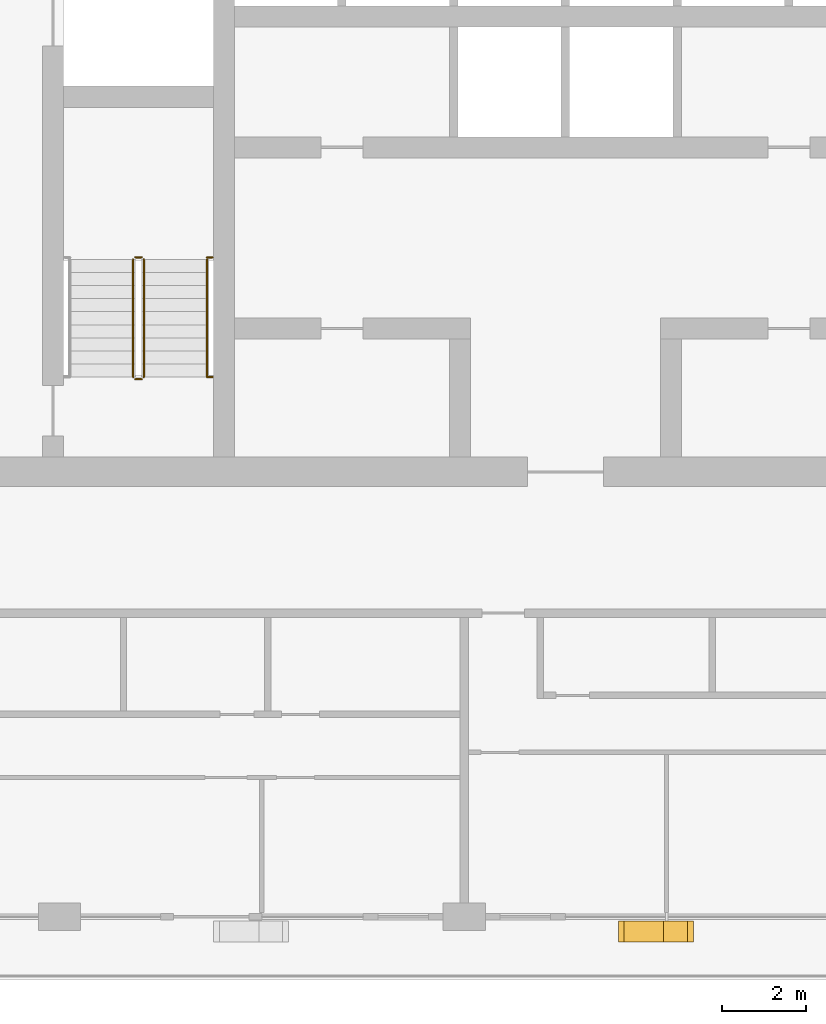
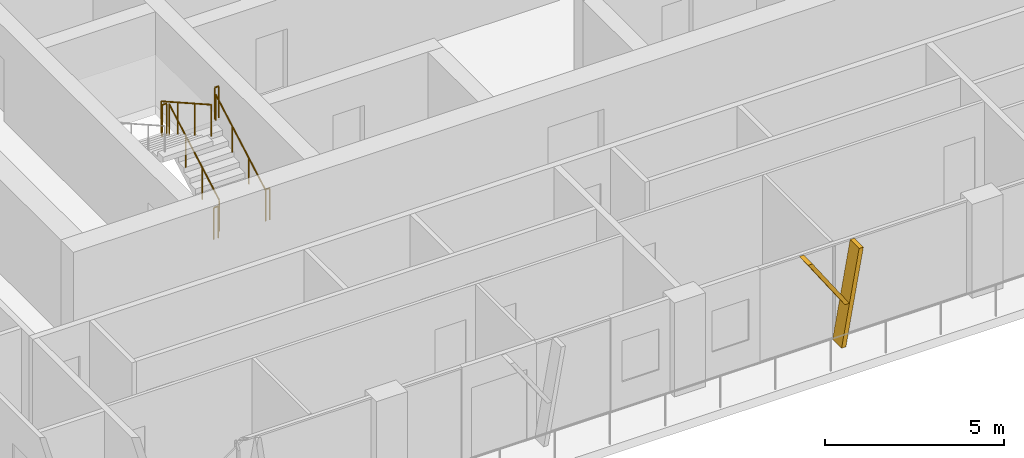
# One storey, part 17 of 22: 7 railings, 2 shading devices.
"""IFC4 building model written with IfcOpenShell, lengths in metres."""

import ifcopenshell
import ifcopenshell.guid

model = None  # the IFC model being written
_history = None  # IfcOwnerHistory: only IFC2X3 demands one
_inside = {}  # id of a spatial element -> (the spatial element, [elements in it])
_under = {}  # id of a project, library or spatial element -> (it, [spatial elements below it])
_declared = {}  # id of a project -> (the project, [libraries it declares])
_typed = {}  # id of a type object -> (the type object, [elements of that type])
_made_of = {}  # id of a material, layer set ... -> (it, [elements and type objects made of it])


def new_model(schema):
    """Start an empty IFC model of exactly this schema.

    Asked for "IFC4X3", IfcOpenShell would pick the latest addendum, in which some entities
    have other attributes; the version numbers below select the first issue.
    IFC2X3 requires an IfcOwnerHistory on every rooted entity: one is made here for all.
    """
    global model, _history
    if schema == "IFC4X3":
        model = ifcopenshell.file(schema_version=(4, 3, 0, 0))
    else:
        model = ifcopenshell.file(schema=schema)
    _inside.clear()
    _under.clear()
    _declared.clear()
    _typed.clear()
    _made_of.clear()
    _history = None
    if model.schema == "IFC2X3":
        org = make("IfcOrganization", Name="unknown")
        user = make(
            "IfcPersonAndOrganization",
            ThePerson=make("IfcPerson", FamilyName="unknown"),
            TheOrganization=org,
        )
        app = make(
            "IfcApplication",
            ApplicationDeveloper=org,
            Version="unknown",
            ApplicationFullName="unknown",
            ApplicationIdentifier="unknown",
        )
        _history = make(
            "IfcOwnerHistory",
            OwningUser=user,
            OwningApplication=app,
            ChangeAction="ADDED",
            CreationDate=0,
        )
    return model


def make(cls, **values):
    """One entity of the class cls with the attributes given. An attribute that is None is left unset."""
    return model.create_entity(
        cls, **{name: value for name, value in values.items() if value is not None}
    )


def rooted(cls, **values):
    """An entity with a GlobalId (a new one), such as an element, a storey or a relation."""
    return make(cls, GlobalId=ifcopenshell.guid.new(), OwnerHistory=_history, **values)


def si_unit(unit_type, name, prefix=None):
    """IfcSIUnit, for example si_unit("LENGTHUNIT", "METRE", prefix="MILLI")."""
    return make("IfcSIUnit", UnitType=unit_type, Prefix=prefix, Name=name)


def assignment(units):
    """IfcUnitAssignment: the units of a project."""
    return None if units is None else make("IfcUnitAssignment", Units=units)


def point(xyz):
    """IfcCartesianPoint."""
    return None if xyz is None else make("IfcCartesianPoint", Coordinates=xyz)


def direction(xyz):
    """IfcDirection."""
    return None if xyz is None else make("IfcDirection", DirectionRatios=xyz)


def frame(location, z_axis=None, x_axis=None):
    """IfcAxis2Placement3D, a coordinate frame: its origin and axes. An axis left out is left unset."""
    return make(
        "IfcAxis2Placement3D",
        Location=point(location),
        Axis=direction(z_axis),
        RefDirection=direction(x_axis),
    )


def frame_2d(location, x_axis=None):
    """IfcAxis2Placement2D, a coordinate frame in the plane: its origin and x axis."""
    return make(
        "IfcAxis2Placement2D", Location=point(location), RefDirection=direction(x_axis)
    )


def origin():
    """The frame at (0, 0, 0) with its axes left unset."""
    return frame((0.0, 0.0, 0.0))


def origin_2d():
    """The frame at (0, 0) in the plane with its x axis left unset."""
    return frame_2d((0.0, 0.0))


def place(relative_to, where):
    """IfcLocalPlacement: puts the frame where relative to a parent placement (None: the world)."""
    return make(
        "IfcLocalPlacement", PlacementRelTo=relative_to, RelativePlacement=where
    )


def context(
    kind, dimensions, precision=None, world=None, true_north=None, identifier=None
):
    """IfcGeometricRepresentationContext, for example the 3D "Model" context."""
    return make(
        "IfcGeometricRepresentationContext",
        ContextIdentifier=identifier,
        ContextType=kind,
        CoordinateSpaceDimension=dimensions,
        Precision=precision,
        WorldCoordinateSystem=world,
        TrueNorth=true_north,
    )


def subcontext(parent, identifier, kind, view, scale=None):
    """IfcGeometricRepresentationSubContext, for example "Body" below "Model"."""
    return make(
        "IfcGeometricRepresentationSubContext",
        ContextIdentifier=identifier,
        ContextType=kind,
        ParentContext=parent,
        TargetScale=scale,
        TargetView=view,
    )


def project(units=None, contexts=None):
    """IfcProject with its units and contexts."""
    return rooted(
        "IfcProject",
        Name="project",
        RepresentationContexts=contexts,
        UnitsInContext=assignment(units),
    )


def spatial(cls, under=None, at=None, **own):
    """A site, building, storey or space (cls), placed at a placement, below another one or the project."""
    s = rooted(cls, ObjectPlacement=at, **own)
    if under is not None:
        _under.setdefault(under.id(), (under, []))[1].append(s)
    return s


def polyline(points):
    """IfcPolyline through the points."""
    return make("IfcPolyline", Points=[point(p) for p in points])


def profile(cls, at=None, kind="AREA", **sizes):
    """A parametric profile (cls). Its sizes go by their IFC names, for example OverallWidth=200.0."""
    return make(cls, ProfileType=kind, Position=at, **sizes)


def circle(**sizes):
    """IfcCircleProfileDef."""
    return profile("IfcCircleProfileDef", **sizes)


def outline(outer, holes=None, kind="AREA"):
    """IfcArbitraryClosedProfileDef: a profile drawn as a closed curve; with holes, ...WithVoids."""
    if holes is None:
        return make("IfcArbitraryClosedProfileDef", ProfileType=kind, OuterCurve=outer)
    return make(
        "IfcArbitraryProfileDefWithVoids",
        ProfileType=kind,
        OuterCurve=outer,
        InnerCurves=holes,
    )


def extrude(swept, where, along, depth):
    """IfcExtrudedAreaSolid: the profile swept, set in the frame where, extruded along a direction by depth."""
    return make(
        "IfcExtrudedAreaSolid",
        SweptArea=swept,
        Position=where,
        ExtrudedDirection=direction(along),
        Depth=depth,
    )


def shape(context_of_items, identifier, shape_type, items):
    """IfcShapeRepresentation: the items that make up one representation, for example the "Body"."""
    return make(
        "IfcShapeRepresentation",
        ContextOfItems=context_of_items,
        RepresentationIdentifier=identifier,
        RepresentationType=shape_type,
        Items=items,
    )


def material(Name=None, Category=None):
    """IfcMaterial."""
    return make("IfcMaterial", Name=Name, Category=Category)


def made_of(thing, what):
    """Note that an element or type object is made of a material, layer set ...; save() writes the relation."""
    if what is not None:
        _made_of.setdefault(what.id(), (what, []))[1].append(thing)
    return thing


def type_object(cls, material=None, **own):
    """A type object (cls), such as IfcWallType, which elements share."""
    return made_of(rooted(cls, **own), material)


def element(
    cls,
    number,
    at=None,
    inside=None,
    cuts=None,
    type_object=None,
    material=None,
    context=None,
    identifier="Body",
    shape_type=None,
    held_by="IfcProductDefinitionShape",
    body=None,
    shapes=None,
    **own,
):
    """One element of the class cls, such as IfcWall. Its Tag is "e" and its number.

    at: its placement. inside: the storey or other place that contains it. cuts: it is an
    opening in that element (IfcRelVoidsElement). A single representation is given by context,
    identifier, shape_type and body (its items); several are given by shapes. held_by: the class
    of the entity that holds the representations. save() writes the other relations.
    """
    e = rooted(cls, Tag="e%d" % number, ObjectPlacement=at, **own)
    if body is not None:
        shapes = [shape(context, identifier, shape_type, body)]
    if shapes is not None:
        e.Representation = make(held_by, Representations=shapes)
    if inside is not None:
        _inside.setdefault(inside.id(), (inside, []))[1].append(e)
    if cuts is not None:
        rooted(
            "IfcRelVoidsElement", RelatingBuildingElement=cuts, RelatedOpeningElement=e
        )
    if type_object is not None:
        _typed.setdefault(type_object.id(), (type_object, []))[1].append(e)
    return made_of(e, material)


def aggregate(whole, parts):
    """IfcRelAggregates: a whole, such as a stair, and the parts it consists of."""
    return rooted("IfcRelAggregates", RelatingObject=whole, RelatedObjects=parts)


def save(model, path):
    """Write the relations noted so far, then the file.

    IfcRelAggregates (storeys below a building ...), IfcRelContainedInSpatialStructure (elements
    in a storey), IfcRelDefinesByType, IfcRelAssociatesMaterial and IfcRelDeclares: one each for
    every whole, place, type object, material and project.
    """
    for whole, parts in _under.values():
        aggregate(whole, parts)
    for where, things in _inside.values():
        rooted(
            "IfcRelContainedInSpatialStructure",
            RelatedElements=things,
            RelatingStructure=where,
        )
    for kind, things in _typed.values():
        rooted("IfcRelDefinesByType", RelatedObjects=things, RelatingType=kind)
    for what, things in _made_of.values():
        rooted("IfcRelAssociatesMaterial", RelatedObjects=things, RelatingMaterial=what)
    for by, libraries in _declared.values():
        rooted("IfcRelDeclares", RelatingContext=by, RelatedDefinitions=libraries)
    model.write(path)


model = new_model("IFC4")

# Units and contexts
model_context = context("Model", 3, precision=1e-05, world=origin(), true_north=direction((0.0, 1.0)))
body_context = subcontext(model_context, "Body", "Model", "MODEL_VIEW")
ifc_project = project(units=[si_unit("LENGTHUNIT", "METRE"), si_unit("AREAUNIT", "SQUARE_METRE"), si_unit("VOLUMEUNIT", "CUBIC_METRE"), si_unit("PLANEANGLEUNIT", "RADIAN"), si_unit("MASSUNIT", "GRAM", prefix="KILO")], contexts=[model_context])

# Site, building, storey
site_placement = place(None, origin())
site = spatial("IfcSite", under=ifc_project, at=site_placement, CompositionType="ELEMENT")
building_placement = place(site_placement, origin())
building = spatial("IfcBuilding", under=site, at=building_placement, Name="Madar Terraces", CompositionType="ELEMENT")
storey_placement = place(building_placement, frame((0.0, 0.0, 208.800048828125)))
storey = spatial("IfcBuildingStorey", under=building, at=storey_placement, Name="L54", CompositionType="ELEMENT", Elevation=208.800048828125)

# Shading devices
ifc_material_1 = material(Name="Aluminium, black anodised", Category="aluminium")
shading_device_type = type_object("IfcShadingDeviceType", Name="Facade fin blade 140 x 500", PredefinedType="USERDEFINED", material=ifc_material_1)
shading_device_1_placement = place(storey_placement, frame((33.530029296875, 4.449951171875, 0.0), z_axis=(0.0, 0.0, 1.0), x_axis=(1.0, 0.0, 0.0)))
element("IfcShadingDevice", 1, at=shading_device_1_placement, inside=storey, type_object=shading_device_type, Name="FIN L54 S3", ObjectType="FIN", PredefinedType="USERDEFINED", context=body_context, shape_type="SweptSolid", body=[
    extrude(outline(polyline([(0.0, 0.0), (0.139892578125, 0.0), (0.704345703125, 3.199951171875), (0.564208984375, 3.199951171875), (0.0, 0.0)])), frame((0.0, 0.25, 0.0), z_axis=(0.0, -1.0, 0.0), x_axis=(1.0, 0.0, 0.0)), (0.0, 0.0, 1.0), 0.5),
])
shading_device_2_placement = place(storey_placement, frame((33.643798828125, 4.449951171875, 1.43994140625), z_axis=(0.0, 0.0, 1.0), x_axis=(1.0, 0.0, 0.0)))
element("IfcShadingDevice", 2, at=shading_device_2_placement, inside=storey, type_object=shading_device_type, Name="FIN L54 S3 branch", ObjectType="FIN", PredefinedType="USERDEFINED", context=body_context, shape_type="SweptSolid", body=[
    extrude(outline(polyline([(0.0, 0.0), (0.14013671875, 0.0), (-1.049560546875, 1.760009765625), (-1.189697265625, 1.760009765625), (0.0, 0.0)])), frame((0.0, 0.25, 0.0), z_axis=(0.0, -1.0, 0.0), x_axis=(1.0, 0.0, 0.0)), (0.0, 0.0, 1.0), 0.5),
])

# Railings
ifc_material_2 = material(Name="Stainless steel railing", Category="steel")
railing_type_1 = type_object("IfcRailingType", Name="Stair guard 1100", PredefinedType="GUARDRAIL", material=ifc_material_2)
railing_1_placement = place(storey_placement, frame((21.199951171875, 17.60009765625, 0.175048828125)))
element("IfcRailing", 3, at=railing_1_placement, inside=storey, type_object=railing_type_1, Name="L54 ST1 stair guard 1", PredefinedType="GUARDRAIL", context=body_context, shape_type="SweptSolid", body=[
    extrude(circle(Radius=0.02392578125, at=origin_2d()), frame((0.0, 0.0, 1.076171875), z_axis=(0.0, 0.870815363784, 0.491610213684), x_axis=(-1.0, 0.0, 0.0)), (0.0, 0.0, 1.0), 3.20361328125),
    extrude(circle(Radius=0.02099609375, at=origin_2d()), origin(), (0.0, 0.0, 1.0), 1.052001953125),
    extrude(circle(Radius=0.02099609375, at=origin_2d()), frame((0.0, 0.929931640625, 0.52490234375)), (0.0, 0.0, 1.0), 1.052001953125),
    extrude(circle(Radius=0.02099609375, at=origin_2d()), frame((0.0, 1.85986328125, 1.050048828125)), (0.0, 0.0, 1.0), 1.052001953125),
    extrude(circle(Radius=0.02099609375, at=origin_2d()), frame((0.0, 2.789794921875, 1.574951171875)), (0.0, 0.0, 1.0), 1.052001953125),
])
railing_2_placement = place(storey_placement, frame((21.14990234375, 20.43994140625, 1.75)))
element("IfcRailing", 4, at=railing_2_placement, inside=storey, type_object=railing_type_1, Name="L54 ST1 stair guard 2", PredefinedType="GUARDRAIL", context=body_context, shape_type="SweptSolid", body=[
    extrude(circle(Radius=0.02392578125, at=origin_2d()), frame((0.0, 0.0, 1.076171875), z_axis=(-1.0, 0.0, 0.0), x_axis=(0.0, -1.0, 0.0)), (0.0, 0.0, 1.0), 0.14990234375),
    extrude(circle(Radius=0.02099609375, at=origin_2d()), origin(), (0.0, 0.0, 1.0), 1.052001953125),
    extrude(circle(Radius=0.02099609375, at=origin_2d()), frame((-0.14990234375, 0.0, 0.0)), (0.0, 0.0, 1.0), 1.052001953125),
])
railing_3_placement = place(storey_placement, frame((20.949951171875, 20.389892578125, 1.925048828125)))
element("IfcRailing", 5, at=railing_3_placement, inside=storey, type_object=railing_type_1, Name="L54 ST1 stair guard 3", PredefinedType="GUARDRAIL", context=body_context, shape_type="SweptSolid", body=[
    extrude(circle(Radius=0.02392578125, at=origin_2d()), frame((0.0, 0.0, 1.076171875), z_axis=(0.0, -0.870815363784, 0.491610213684), x_axis=(1.0, 0.0, 0.0)), (0.0, 0.0, 1.0), 3.20361328125),
    extrude(circle(Radius=0.02099609375, at=origin_2d()), origin(), (0.0, 0.0, 1.0), 1.052001953125),
    extrude(circle(Radius=0.02099609375, at=origin_2d()), frame((0.0, -0.929931640625, 0.52490234375)), (0.0, 0.0, 1.0), 1.052001953125),
    extrude(circle(Radius=0.02099609375, at=origin_2d()), frame((0.0, -1.85986328125, 1.050048828125)), (0.0, 0.0, 1.0), 1.052001953125),
    extrude(circle(Radius=0.02099609375, at=origin_2d()), frame((0.0, -2.789794921875, 1.574951171875)), (0.0, 0.0, 1.0), 1.052001953125),
])
railing_4_placement = place(storey_placement, frame((21.14990234375, 17.550048828125, 0.0)))
element("IfcRailing", 6, at=railing_4_placement, inside=storey, type_object=railing_type_1, Name="L54 ST1 stair guard 4", PredefinedType="GUARDRAIL", context=body_context, shape_type="SweptSolid", body=[
    extrude(circle(Radius=0.02392578125, at=origin_2d()), frame((0.0, 0.0, 1.076171875), z_axis=(-1.0, 0.0, 0.0), x_axis=(0.0, -1.0, 0.0)), (0.0, 0.0, 1.0), 0.14990234375),
    extrude(circle(Radius=0.02099609375, at=origin_2d()), origin(), (0.0, 0.0, 1.0), 1.052001953125),
    extrude(circle(Radius=0.02099609375, at=origin_2d()), frame((-0.14990234375, 0.0, 0.0)), (0.0, 0.0, 1.0), 1.052001953125),
])
for number, where, name in (
    (7, (22.699951171875, 20.43994140625, 1.75), "L54 stair guard seat 2"),
    (8, (22.699951171875, 17.60009765625, 0.0), "L54 stair guard floor 2"),
):
    element("IfcRailing", number, at=place(storey_placement, frame(where)), inside=storey, type_object=railing_type_1, Name=name, PredefinedType="GUARDRAIL", context=body_context, shape_type="SweptSolid", body=[
        extrude(circle(Radius=0.02392578125, at=origin_2d()), frame((0.0, 0.0, 1.076171875), z_axis=(1.0, 0.0, 0.0), x_axis=(0.0, 1.0, 0.0)), (0.0, 0.0, 1.0), 0.130126953125),
        extrude(circle(Radius=0.02099609375, at=origin_2d()), origin(), (0.0, 0.0, 1.0), 1.052001953125),
        extrude(circle(Radius=0.02099609375, at=origin_2d()), frame((0.130126953125, 0.0, 0.0)), (0.0, 0.0, 1.0), 1.052001953125),
    ])
ifc_material_3 = material(Name="Stainless steel railing", Category="steel")
railing_type_2 = type_object("IfcRailingType", Name="Stair handrail 900", PredefinedType="HANDRAIL", material=ifc_material_3)
railing_5_placement = place(storey_placement, frame((22.699951171875, 17.60009765625, 0.175048828125)))
element("IfcRailing", 9, at=railing_5_placement, inside=storey, type_object=railing_type_2, Name="L54 ST1 stair handrail 1", PredefinedType="HANDRAIL", context=body_context, shape_type="SweptSolid", body=[
    extrude(circle(Radius=0.02392578125, at=origin_2d()), frame((0.0, 0.0, 0.8759765625), z_axis=(0.0, 0.870815363784, 0.491610213684), x_axis=(-1.0, 0.0, 0.0)), (0.0, 0.0, 1.0), 3.20361328125),
    extrude(circle(Radius=0.02099609375, at=origin_2d()), origin(), (0.0, 0.0, 1.0), 0.851806640625),
    extrude(circle(Radius=0.02099609375, at=origin_2d()), frame((0.0, 0.929931640625, 0.52490234375)), (0.0, 0.0, 1.0), 0.851806640625),
    extrude(circle(Radius=0.02099609375, at=origin_2d()), frame((0.0, 1.85986328125, 1.050048828125)), (0.0, 0.0, 1.0), 0.851806640625),
    extrude(circle(Radius=0.02099609375, at=origin_2d()), frame((0.0, 2.789794921875, 1.574951171875)), (0.0, 0.0, 1.0), 0.851806640625),
])

save(model, "model.ifc")
